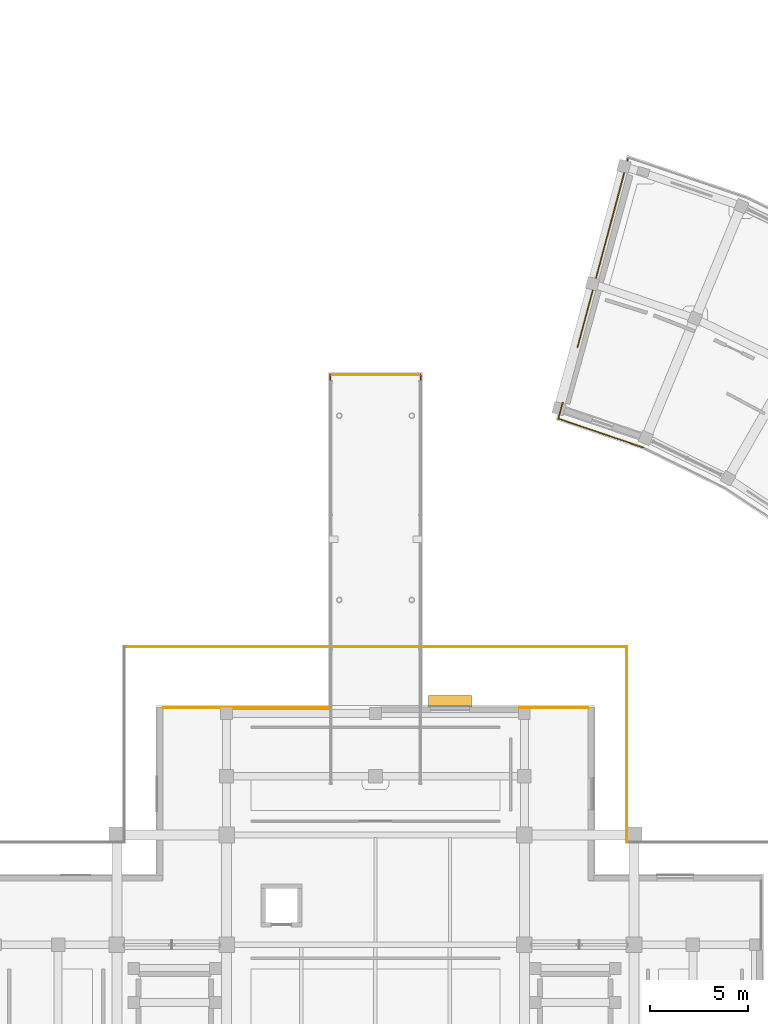
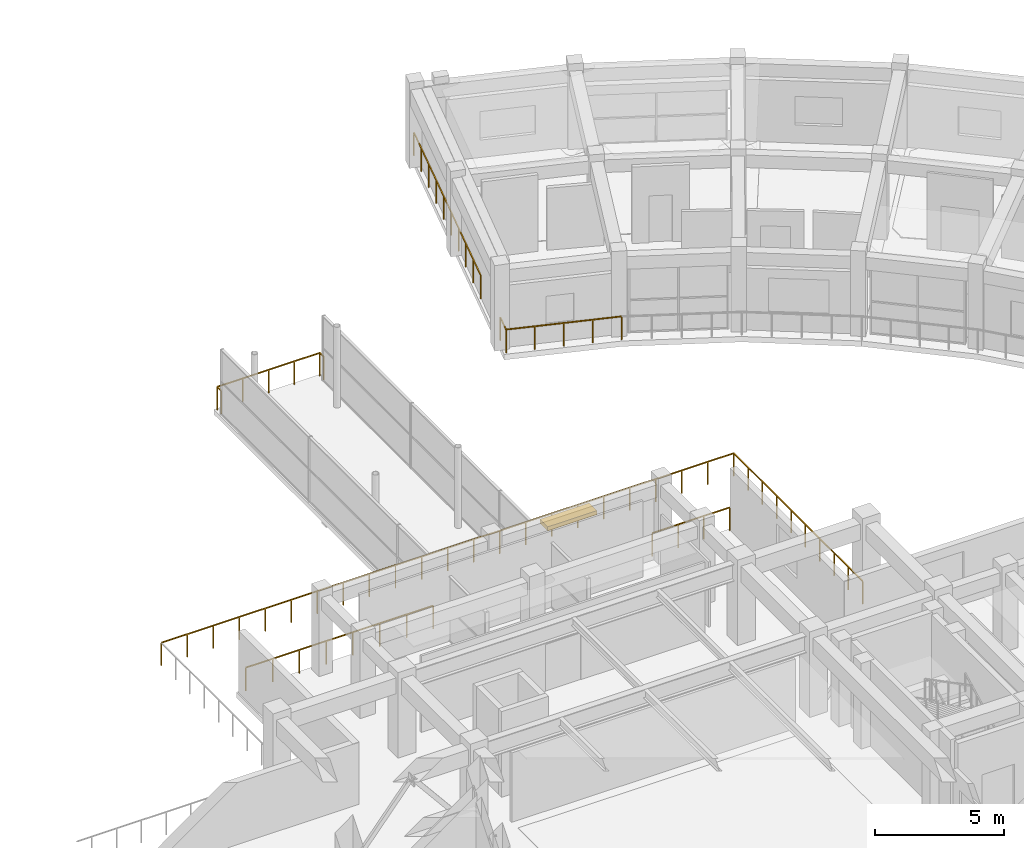
# One storey, part 69 of 72: 10 railings, 1 shading device.
"""IFC4 building model written with IfcOpenShell, lengths in metres."""

from ifc_helpers import new_model, si_unit, direction, frame, origin, origin_2d, place, context, subcontext, project, spatial, rectangle, extrude, material, layer, layer_set, type_object, element, save


model = new_model("IFC4")

# Units and contexts
model_context = context("Model", 3, precision=1e-05, world=origin(), true_north=direction((0.0, 1.0)))
body_context = subcontext(model_context, "Body", "Model", "MODEL_VIEW")
ifc_project = project(units=[si_unit("LENGTHUNIT", "METRE"), si_unit("AREAUNIT", "SQUARE_METRE"), si_unit("VOLUMEUNIT", "CUBIC_METRE"), si_unit("PLANEANGLEUNIT", "RADIAN"), si_unit("MASSUNIT", "GRAM", prefix="KILO")], contexts=[model_context])

# Site, building, storey
site_placement = place(None, origin())
site = spatial("IfcSite", under=ifc_project, at=site_placement, CompositionType="ELEMENT")
building_placement = place(site_placement, origin())
building = spatial("IfcBuilding", under=site, at=building_placement, Name="Saryqyr Civic Hall", CompositionType="ELEMENT")
storey_placement = place(building_placement, frame((0.0, 0.0, 17.25)))
storey = spatial("IfcBuildingStorey", under=building, at=storey_placement, Name="L04", CompositionType="ELEMENT", Elevation=17.25)

# Railings
ifc_material_1 = material(Name="Stainless steel and laminated glass", Category="steel")
ifc_layer_1 = layer(ifc_material_1, 0.06005859375, Name="Stainless steel and laminated glass")
ifc_layer_set_1 = layer_set([ifc_layer_1], Name="Stainless steel and laminated glass")
railing_type_1 = type_object("IfcRailingType", Name="ENV-RLG-BAL-1100", PredefinedType="BALUSTRADE", material=ifc_layer_set_1)
railing_1_placement = place(storey_placement, frame((69.820068359375, 96.820068359375, 0.0)))
element("IfcRailing", 1, at=railing_1_placement, inside=storey, type_object=railing_type_1, Name="Perimeter safety balustrade V1-STEPG-L04-G06", PredefinedType="BALUSTRADE", context=body_context, shape_type="SweptSolid", body=[
    extrude(rectangle(XDim=0.048095703125, YDim=0.048095703125, at=origin_2d()), frame((0.0, 0.0, 1.076171875), z_axis=(0.0, 1.0, 0.0), x_axis=(-1.0, 0.0, 0.0)), (0.0, 0.0, 1.0), 10.0),
    extrude(rectangle(XDim=0.0419921875, YDim=0.0419921875, at=origin_2d()), origin(), (0.0, 0.0, 1.0), 1.052001953125),
    extrude(rectangle(XDim=0.0419921875, YDim=0.0419921875, at=origin_2d()), frame((0.0, 1.111083984375, 0.0)), (0.0, 0.0, 1.0), 1.052001953125),
    extrude(rectangle(XDim=0.0419921875, YDim=0.0419921875, at=origin_2d()), frame((0.0, 2.22216796875, 0.0)), (0.0, 0.0, 1.0), 1.052001953125),
    extrude(rectangle(XDim=0.0419921875, YDim=0.0419921875, at=origin_2d()), frame((0.0, 3.333251953125, 0.0)), (0.0, 0.0, 1.0), 1.052001953125),
    extrude(rectangle(XDim=0.0419921875, YDim=0.0419921875, at=origin_2d()), frame((0.0, 4.4443359375, 0.0)), (0.0, 0.0, 1.0), 1.052001953125),
    extrude(rectangle(XDim=0.0419921875, YDim=0.0419921875, at=origin_2d()), frame((0.0, 5.5556640625, 0.0)), (0.0, 0.0, 1.0), 1.052001953125),
    extrude(rectangle(XDim=0.0419921875, YDim=0.0419921875, at=origin_2d()), frame((0.0, 6.666748046875, 0.0)), (0.0, 0.0, 1.0), 1.052001953125),
    extrude(rectangle(XDim=0.0419921875, YDim=0.0419921875, at=origin_2d()), frame((0.0, 7.77783203125, 0.0)), (0.0, 0.0, 1.0), 1.052001953125),
    extrude(rectangle(XDim=0.0419921875, YDim=0.0419921875, at=origin_2d()), frame((0.0, 8.888916015625, 0.0)), (0.0, 0.0, 1.0), 1.052001953125),
    extrude(rectangle(XDim=0.0419921875, YDim=0.0419921875, at=origin_2d()), frame((0.0, 10.0, 0.0)), (0.0, 0.0, 1.0), 1.052001953125),
])
railing_2_placement = place(storey_placement, frame((69.820068359375, 106.820068359375, 0.0)))
element("IfcRailing", 2, at=railing_2_placement, inside=storey, type_object=railing_type_1, Name="Perimeter safety balustrade V1-STEPG-L04-G07", PredefinedType="BALUSTRADE", context=body_context, shape_type="SweptSolid", body=[
    extrude(rectangle(XDim=0.048095703125, YDim=0.048095703125, at=origin_2d()), frame((0.0, 0.0, 1.076171875), z_axis=(-1.0, 0.0, 0.0), x_axis=(0.0, -1.0, 0.0)), (0.0, 0.0, 1.0), 25.64013671875),
    extrude(rectangle(XDim=0.0419921875, YDim=0.0419921875, at=origin_2d()), origin(), (0.0, 0.0, 1.0), 1.052001953125),
    extrude(rectangle(XDim=0.0419921875, YDim=0.0419921875, at=origin_2d()), frame((-1.16552734375, 0.0, 0.0)), (0.0, 0.0, 1.0), 1.052001953125),
    extrude(rectangle(XDim=0.0419921875, YDim=0.0419921875, at=origin_2d()), frame((-2.330810546875, 0.0, 0.0)), (0.0, 0.0, 1.0), 1.052001953125),
    extrude(rectangle(XDim=0.0419921875, YDim=0.0419921875, at=origin_2d()), frame((-3.496337890625, 0.0, 0.0)), (0.0, 0.0, 1.0), 1.052001953125),
    extrude(rectangle(XDim=0.0419921875, YDim=0.0419921875, at=origin_2d()), frame((-4.661865234375, 0.0, 0.0)), (0.0, 0.0, 1.0), 1.052001953125),
    extrude(rectangle(XDim=0.0419921875, YDim=0.0419921875, at=origin_2d()), frame((-5.827392578125, 0.0, 0.0)), (0.0, 0.0, 1.0), 1.052001953125),
    extrude(rectangle(XDim=0.0419921875, YDim=0.0419921875, at=origin_2d()), frame((-6.99267578125, 0.0, 0.0)), (0.0, 0.0, 1.0), 1.052001953125),
    extrude(rectangle(XDim=0.0419921875, YDim=0.0419921875, at=origin_2d()), frame((-8.158203125, 0.0, 0.0)), (0.0, 0.0, 1.0), 1.052001953125),
    extrude(rectangle(XDim=0.0419921875, YDim=0.0419921875, at=origin_2d()), frame((-9.32373046875, 0.0, 0.0)), (0.0, 0.0, 1.0), 1.052001953125),
    extrude(rectangle(XDim=0.0419921875, YDim=0.0419921875, at=origin_2d()), frame((-10.4892578125, 0.0, 0.0)), (0.0, 0.0, 1.0), 1.052001953125),
    extrude(rectangle(XDim=0.0419921875, YDim=0.0419921875, at=origin_2d()), frame((-11.654541015625, 0.0, 0.0)), (0.0, 0.0, 1.0), 1.052001953125),
    extrude(rectangle(XDim=0.0419921875, YDim=0.0419921875, at=origin_2d()), frame((-12.820068359375, 0.0, 0.0)), (0.0, 0.0, 1.0), 1.052001953125),
    extrude(rectangle(XDim=0.0419921875, YDim=0.0419921875, at=origin_2d()), frame((-13.985595703125, 0.0, 0.0)), (0.0, 0.0, 1.0), 1.052001953125),
    extrude(rectangle(XDim=0.0419921875, YDim=0.0419921875, at=origin_2d()), frame((-15.15087890625, 0.0, 0.0)), (0.0, 0.0, 1.0), 1.052001953125),
    extrude(rectangle(XDim=0.0419921875, YDim=0.0419921875, at=origin_2d()), frame((-16.31640625, 0.0, 0.0)), (0.0, 0.0, 1.0), 1.052001953125),
    extrude(rectangle(XDim=0.0419921875, YDim=0.0419921875, at=origin_2d()), frame((-17.48193359375, 0.0, 0.0)), (0.0, 0.0, 1.0), 1.052001953125),
    extrude(rectangle(XDim=0.0419921875, YDim=0.0419921875, at=origin_2d()), frame((-18.6474609375, 0.0, 0.0)), (0.0, 0.0, 1.0), 1.052001953125),
    extrude(rectangle(XDim=0.0419921875, YDim=0.0419921875, at=origin_2d()), frame((-19.812744140625, 0.0, 0.0)), (0.0, 0.0, 1.0), 1.052001953125),
    extrude(rectangle(XDim=0.0419921875, YDim=0.0419921875, at=origin_2d()), frame((-20.978271484375, 0.0, 0.0)), (0.0, 0.0, 1.0), 1.052001953125),
    extrude(rectangle(XDim=0.0419921875, YDim=0.0419921875, at=origin_2d()), frame((-22.143798828125, 0.0, 0.0)), (0.0, 0.0, 1.0), 1.052001953125),
    extrude(rectangle(XDim=0.0419921875, YDim=0.0419921875, at=origin_2d()), frame((-23.309326171875, 0.0, 0.0)), (0.0, 0.0, 1.0), 1.052001953125),
    extrude(rectangle(XDim=0.0419921875, YDim=0.0419921875, at=origin_2d()), frame((-24.474609375, 0.0, 0.0)), (0.0, 0.0, 1.0), 1.052001953125),
    extrude(rectangle(XDim=0.0419921875, YDim=0.0419921875, at=origin_2d()), frame((-25.64013671875, 0.0, 0.0)), (0.0, 0.0, 1.0), 1.052001953125),
])

# Shading device
ifc_material_2 = material(Name="Warm brushed brass-anodised aluminium", Category="aluminium")
shading_device_type = type_object("IfcShadingDeviceType", Name="ENV-SHD-LOUVRE", PredefinedType="JALOUSIE", material=ifc_material_2)
shading_device_placement = place(storey_placement, frame((60.800048828125, 104.02490234375, 2.80517578125), z_axis=(0.0, 0.0, 1.0), x_axis=(1.0, 0.0, 0.0)))
element("IfcShadingDevice", 3, at=shading_device_placement, inside=storey, type_object=shading_device_type, Name="Warm brass exterior louvre hood L04-05", PredefinedType="JALOUSIE", context=body_context, shape_type="SweptSolid", body=[
    extrude(rectangle(XDim=2.199951171875, YDim=0.60009765625, at=origin_2d()), origin(), (0.0, 0.0, 1.0), 0.199951171875),
])

# Railings
ifc_material_3 = material(Name="Warm brushed brass and laminated glass", Category="glass")
ifc_layer_2 = layer(ifc_material_3, 0.06005859375, Name="Warm brushed brass and laminated glass")
ifc_layer_set_2 = layer_set([ifc_layer_2], Name="Warm brushed brass and laminated glass")
railing_type_2 = type_object("IfcRailingType", Name="INT-RLG-BAL-1100", PredefinedType="BALUSTRADE", material=ifc_layer_set_2)
railing_3_placement = place(storey_placement, frame((46.1650390625, 103.699951171875, 0.0)))
element("IfcRailing", 4, at=railing_3_placement, inside=storey, type_object=railing_type_2, Name="Interior deck safety balustrade L04-027", PredefinedType="BALUSTRADE", context=body_context, shape_type="SweptSolid", body=[
    extrude(rectangle(XDim=0.048095703125, YDim=0.048095703125, at=origin_2d()), frame((0.0, 0.0, 1.09619140625), z_axis=(1.0, 0.0, 0.0), x_axis=(0.0, 1.0, 0.0)), (0.0, 0.0, 1.0), 8.39501953125),
    extrude(rectangle(XDim=0.0419921875, YDim=0.0419921875, at=origin_2d()), origin(), (0.0, 0.0, 1.0), 1.072021484375),
    extrude(rectangle(XDim=0.0419921875, YDim=0.0419921875, at=origin_2d()), frame((1.19921875, 0.0, 0.0)), (0.0, 0.0, 1.0), 1.072021484375),
    extrude(rectangle(XDim=0.0419921875, YDim=0.0419921875, at=origin_2d()), frame((2.398681640625, 0.0, 0.0)), (0.0, 0.0, 1.0), 1.072021484375),
    extrude(rectangle(XDim=0.0419921875, YDim=0.0419921875, at=origin_2d()), frame((3.597900390625, 0.0, 0.0)), (0.0, 0.0, 1.0), 1.072021484375),
    extrude(rectangle(XDim=0.0419921875, YDim=0.0419921875, at=origin_2d()), frame((4.797119140625, 0.0, 0.0)), (0.0, 0.0, 1.0), 1.072021484375),
    extrude(rectangle(XDim=0.0419921875, YDim=0.0419921875, at=origin_2d()), frame((5.996337890625, 0.0, 0.0)), (0.0, 0.0, 1.0), 1.072021484375),
    extrude(rectangle(XDim=0.0419921875, YDim=0.0419921875, at=origin_2d()), frame((7.19580078125, 0.0, 0.0)), (0.0, 0.0, 1.0), 1.072021484375),
    extrude(rectangle(XDim=0.0419921875, YDim=0.0419921875, at=origin_2d()), frame((8.39501953125, 0.0, 0.0)), (0.0, 0.0, 1.0), 1.072021484375),
])
railing_4_placement = place(storey_placement, frame((54.699951171875, 120.39990234375, 0.0)))
element("IfcRailing", 5, at=railing_4_placement, inside=storey, type_object=railing_type_2, Name="Interior deck safety balustrade L04-028", PredefinedType="BALUSTRADE", context=body_context, shape_type="SweptSolid", body=[
    extrude(rectangle(XDim=0.048095703125, YDim=0.048095703125, at=origin_2d()), frame((0.0, 0.0, 1.09619140625), z_axis=(0.0, 1.0, 0.0), x_axis=(-1.0, 0.0, 0.0)), (0.0, 0.0, 1.0), 0.300048828125),
    extrude(rectangle(XDim=0.0419921875, YDim=0.0419921875, at=origin_2d()), origin(), (0.0, 0.0, 1.0), 1.072021484375),
    extrude(rectangle(XDim=0.0419921875, YDim=0.0419921875, at=origin_2d()), frame((0.0, 0.300048828125, 0.0)), (0.0, 0.0, 1.0), 1.072021484375),
])
railing_5_placement = place(storey_placement, frame((54.699951171875, 120.699951171875, 0.0)))
element("IfcRailing", 6, at=railing_5_placement, inside=storey, type_object=railing_type_2, Name="Interior deck safety balustrade L04-029", PredefinedType="BALUSTRADE", context=body_context, shape_type="SweptSolid", body=[
    extrude(rectangle(XDim=0.048095703125, YDim=0.048095703125, at=origin_2d()), frame((0.0, 0.0, 1.09619140625), z_axis=(1.0, 0.0, 0.0), x_axis=(0.0, 1.0, 0.0)), (0.0, 0.0, 1.0), 4.60009765625),
    extrude(rectangle(XDim=0.0419921875, YDim=0.0419921875, at=origin_2d()), origin(), (0.0, 0.0, 1.0), 1.072021484375),
    extrude(rectangle(XDim=0.0419921875, YDim=0.0419921875, at=origin_2d()), frame((1.14990234375, 0.0, 0.0)), (0.0, 0.0, 1.0), 1.072021484375),
    extrude(rectangle(XDim=0.0419921875, YDim=0.0419921875, at=origin_2d()), frame((2.300048828125, 0.0, 0.0)), (0.0, 0.0, 1.0), 1.072021484375),
    extrude(rectangle(XDim=0.0419921875, YDim=0.0419921875, at=origin_2d()), frame((3.4501953125, 0.0, 0.0)), (0.0, 0.0, 1.0), 1.072021484375),
    extrude(rectangle(XDim=0.0419921875, YDim=0.0419921875, at=origin_2d()), frame((4.60009765625, 0.0, 0.0)), (0.0, 0.0, 1.0), 1.072021484375),
])
railing_6_placement = place(storey_placement, frame((59.300048828125, 120.699951171875, 0.0)))
element("IfcRailing", 7, at=railing_6_placement, inside=storey, type_object=railing_type_2, Name="Interior deck safety balustrade L04-030", PredefinedType="BALUSTRADE", context=body_context, shape_type="SweptSolid", body=[
    extrude(rectangle(XDim=0.048095703125, YDim=0.048095703125, at=origin_2d()), frame((0.0, 0.0, 1.09619140625), z_axis=(0.0, -1.0, 0.0), x_axis=(1.0, 0.0, 0.0)), (0.0, 0.0, 1.0), 0.300048828125),
    extrude(rectangle(XDim=0.0419921875, YDim=0.0419921875, at=origin_2d()), origin(), (0.0, 0.0, 1.0), 1.072021484375),
    extrude(rectangle(XDim=0.0419921875, YDim=0.0419921875, at=origin_2d()), frame((0.0, -0.300048828125, 0.0)), (0.0, 0.0, 1.0), 1.072021484375),
])
railing_7_placement = place(storey_placement, frame((64.364990234375, 103.699951171875, 0.0)))
element("IfcRailing", 8, at=railing_7_placement, inside=storey, type_object=railing_type_2, Name="Interior deck safety balustrade L04-031", PredefinedType="BALUSTRADE", context=body_context, shape_type="SweptSolid", body=[
    extrude(rectangle(XDim=0.048095703125, YDim=0.048095703125, at=origin_2d()), frame((0.0, 0.0, 1.09619140625), z_axis=(1.0, 0.0, 0.0), x_axis=(0.0, 1.0, 0.0)), (0.0, 0.0, 1.0), 3.469970703125),
    extrude(rectangle(XDim=0.0419921875, YDim=0.0419921875, at=origin_2d()), origin(), (0.0, 0.0, 1.0), 1.072021484375),
    extrude(rectangle(XDim=0.0419921875, YDim=0.0419921875, at=origin_2d()), frame((1.15673828125, 0.0, 0.0)), (0.0, 0.0, 1.0), 1.072021484375),
    extrude(rectangle(XDim=0.0419921875, YDim=0.0419921875, at=origin_2d()), frame((2.313232421875, 0.0, 0.0)), (0.0, 0.0, 1.0), 1.072021484375),
    extrude(rectangle(XDim=0.0419921875, YDim=0.0419921875, at=origin_2d()), frame((3.469970703125, 0.0, 0.0)), (0.0, 0.0, 1.0), 1.072021484375),
])
railing_8_placement = place(storey_placement, frame((70.661865234375, 116.982666015625, 0.0)))
element("IfcRailing", 9, at=railing_8_placement, inside=storey, type_object=railing_type_2, Name="Interior deck safety balustrade L04-044", PredefinedType="BALUSTRADE", context=body_context, shape_type="SweptSolid", body=[
    extrude(rectangle(XDim=0.048095703125, YDim=0.048095703125, at=origin_2d()), frame((0.0, 0.0, 1.09619140625), z_axis=(-0.946921791476, 0.321464027269, 0.0), x_axis=(-0.321464027269, -0.946921791476, 0.0)), (0.0, 0.0, 1.0), 4.569580078125),
    extrude(rectangle(XDim=0.0419921875, YDim=0.0419921875, at=origin_2d()), origin(), (0.0, 0.0, 1.0), 1.072021484375),
    extrude(rectangle(XDim=0.0419921875, YDim=0.0419921875, at=origin_2d()), frame((-1.081787109375, 0.3671875, 0.0)), (0.0, 0.0, 1.0), 1.072021484375),
    extrude(rectangle(XDim=0.0419921875, YDim=0.0419921875, at=origin_2d()), frame((-2.16357421875, 0.734375, 0.0)), (0.0, 0.0, 1.0), 1.072021484375),
    extrude(rectangle(XDim=0.0419921875, YDim=0.0419921875, at=origin_2d()), frame((-3.245361328125, 1.101806640625, 0.0)), (0.0, 0.0, 1.0), 1.072021484375),
    extrude(rectangle(XDim=0.0419921875, YDim=0.0419921875, at=origin_2d()), frame((-4.3271484375, 1.468994140625, 0.0)), (0.0, 0.0, 1.0), 1.072021484375),
])
railing_9_placement = place(storey_placement, frame((66.334716796875, 118.45166015625, 0.0)))
element("IfcRailing", 10, at=railing_9_placement, inside=storey, type_object=railing_type_2, Name="Interior deck safety balustrade L04-045", PredefinedType="BALUSTRADE", context=body_context, shape_type="SweptSolid", body=[
    extrude(rectangle(XDim=0.048095703125, YDim=0.048095703125, at=origin_2d()), frame((0.0, 0.0, 1.09619140625), z_axis=(0.258797820574, 0.965931513134, 0.0), x_axis=(-0.965931513134, 0.258797820574, 0.0)), (0.0, 0.0, 1.0), 0.856689453125),
    extrude(rectangle(XDim=0.0419921875, YDim=0.0419921875, at=origin_2d()), origin(), (0.0, 0.0, 1.0), 1.072021484375),
    extrude(rectangle(XDim=0.0419921875, YDim=0.0419921875, at=origin_2d()), frame((0.2216796875, 0.827392578125, 0.0)), (0.0, 0.0, 1.0), 1.072021484375),
])
railing_10_placement = place(storey_placement, frame((67.3134765625, 122.104248046875, 0.0)))
element("IfcRailing", 11, at=railing_10_placement, inside=storey, type_object=railing_type_2, Name="Interior deck safety balustrade L04-046", PredefinedType="BALUSTRADE", context=body_context, shape_type="SweptSolid", body=[
    extrude(rectangle(XDim=0.048095703125, YDim=0.048095703125, at=origin_2d()), frame((0.0, 0.0, 1.09619140625), z_axis=(0.258831910076, 0.965922379038, 0.0), x_axis=(-0.965922379038, 0.258831910076, 0.0)), (0.0, 0.0, 1.0), 10.01806640625),
    extrude(rectangle(XDim=0.0419921875, YDim=0.0419921875, at=origin_2d()), origin(), (0.0, 0.0, 1.0), 1.072021484375),
    extrude(rectangle(XDim=0.0419921875, YDim=0.0419921875, at=origin_2d()), frame((0.2880859375, 1.0751953125, 0.0)), (0.0, 0.0, 1.0), 1.072021484375),
    extrude(rectangle(XDim=0.0419921875, YDim=0.0419921875, at=origin_2d()), frame((0.576171875, 2.150390625, 0.0)), (0.0, 0.0, 1.0), 1.072021484375),
    extrude(rectangle(XDim=0.0419921875, YDim=0.0419921875, at=origin_2d()), frame((0.8642578125, 3.2255859375, 0.0)), (0.0, 0.0, 1.0), 1.072021484375),
    extrude(rectangle(XDim=0.0419921875, YDim=0.0419921875, at=origin_2d()), frame((1.15234375, 4.30078125, 0.0)), (0.0, 0.0, 1.0), 1.072021484375),
    extrude(rectangle(XDim=0.0419921875, YDim=0.0419921875, at=origin_2d()), frame((1.440673828125, 5.3759765625, 0.0)), (0.0, 0.0, 1.0), 1.072021484375),
    extrude(rectangle(XDim=0.0419921875, YDim=0.0419921875, at=origin_2d()), frame((1.728759765625, 6.451171875, 0.0)), (0.0, 0.0, 1.0), 1.072021484375),
    extrude(rectangle(XDim=0.0419921875, YDim=0.0419921875, at=origin_2d()), frame((2.016845703125, 7.5263671875, 0.0)), (0.0, 0.0, 1.0), 1.072021484375),
    extrude(rectangle(XDim=0.0419921875, YDim=0.0419921875, at=origin_2d()), frame((2.304931640625, 8.6015625, 0.0)), (0.0, 0.0, 1.0), 1.072021484375),
    extrude(rectangle(XDim=0.0419921875, YDim=0.0419921875, at=origin_2d()), frame((2.593017578125, 9.6767578125, 0.0)), (0.0, 0.0, 1.0), 1.072021484375),
])

save(model, "model.ifc")
